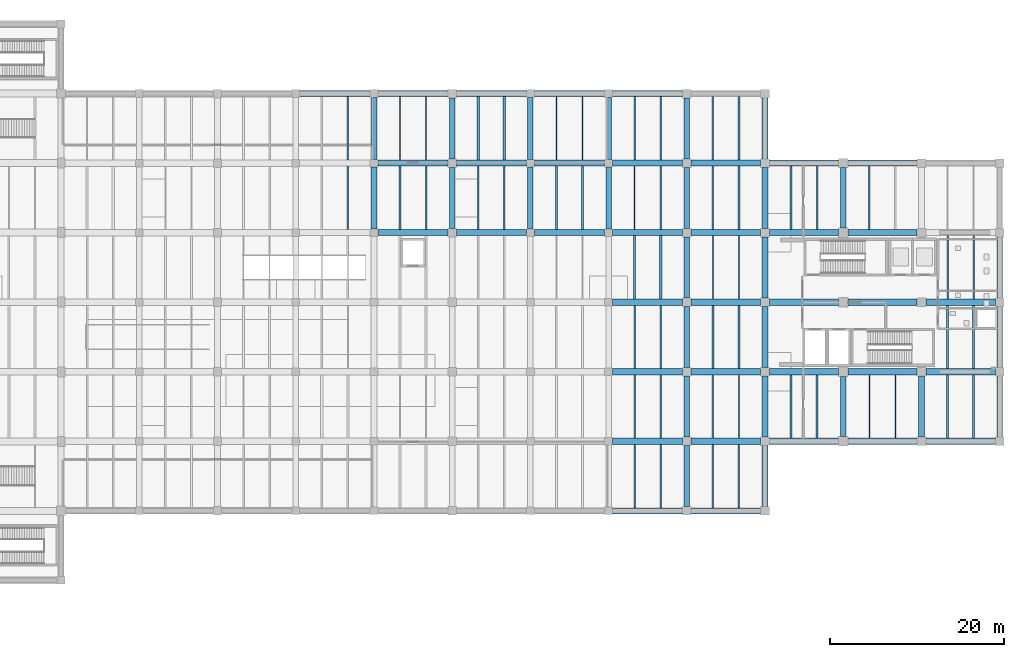
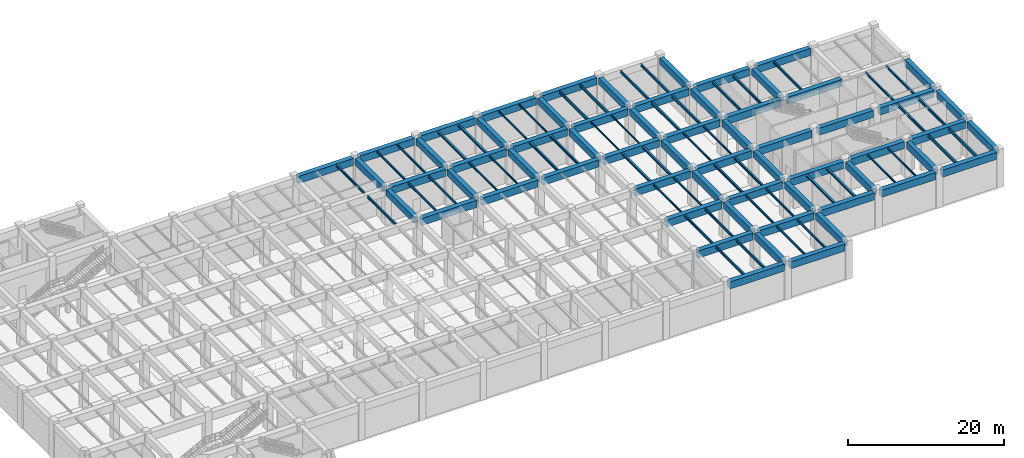
# One storey, part 5 of 20: 113 beams.
"""IFC4 building model written with IfcOpenShell, lengths in metres."""

from ifc_helpers import new_model, si_unit, derived_unit, direction, frame, origin, origin_2d, place, context, subcontext, project, spatial, rectangle, i_section, extrude, material, material_profile, profile_set, type_object, element, save


model = new_model("IFC4")

# Units and contexts
model_context = context("Model", 3, precision=1e-05, world=origin(), true_north=direction((0.0, 1.0)))
body_context = subcontext(model_context, "Body", "Model", "MODEL_VIEW")
ifc_project = project(units=[si_unit("LENGTHUNIT", "METRE"), si_unit("AREAUNIT", "SQUARE_METRE"), si_unit("VOLUMEUNIT", "CUBIC_METRE"), si_unit("PLANEANGLEUNIT", "RADIAN"), si_unit("MASSUNIT", "GRAM", prefix="KILO"), derived_unit("THERMALTRANSMITTANCEUNIT", [(si_unit("MASSUNIT", "GRAM", prefix="KILO"), 1), (si_unit("TIMEUNIT", "SECOND"), -3), (si_unit("THERMODYNAMICTEMPERATUREUNIT", "KELVIN"), -1)])], contexts=[model_context])

# Site, building, storey
site_placement = place(None, origin())
site = spatial("IfcSite", under=ifc_project, at=site_placement, CompositionType="ELEMENT")
building_placement = place(site_placement, origin())
building = spatial("IfcBuilding", under=site, at=building_placement, Name="Zhenchuan Archway Interchange", CompositionType="ELEMENT")
storey_placement = place(building_placement, frame((0.0, 0.0, -6.0)))
storey = spatial("IfcBuildingStorey", under=building, at=storey_placement, Name="B1", CompositionType="ELEMENT", Elevation=-6.0)

# Beams
ifc_material_1 = material(Name="Concrete C40", Category="concrete")
ifc_material_profile_1 = material_profile(ifc_material_1, rectangle(XDim=0.64990234375, YDim=1.0, at=origin_2d()), Name="RC 650x1000")
ifc_profile_set_1 = profile_set([ifc_material_profile_1], Name="Concrete C40")
beam_type_1 = type_object("IfcBeamType", Name="BM_RC_650x1000", PredefinedType="BEAM", material=ifc_profile_set_1)
for number, where, z_axis, x_axis, name in (
    (1, (99.0, 64.449951171875, 5.080078125), (0.0, 1.0, 0.0), (-1.0, 0.0, 0.0), "Beam 12:J-K (B1)"),
    (2, (99.0, 72.449951171875, 5.080078125), (0.0, 1.0, 0.0), (-1.0, 0.0, 0.0), "Beam 12:K-L (B1)"),
):
    element("IfcBeam", number, at=place(storey_placement, frame(where, z_axis=z_axis, x_axis=x_axis)), inside=storey, type_object=beam_type_1, Name=name, PredefinedType="BEAM", context=body_context, shape_type="SweptSolid", body=[
        extrude(rectangle(XDim=0.64990234375, YDim=1.0, at=origin_2d()), origin(), (0.0, 0.0, 1.0), 7.10009765625),
    ])
for number, where, z_axis, x_axis, name in (
    (3, (108.0, 64.47509765625, 5.080078125), (0.0, 1.0, 0.0), (-1.0, 0.0, 0.0), "Beam 13:J-K (B1)"),
    (4, (108.0, 72.47509765625, 5.080078125), (0.0, 1.0, 0.0), (-1.0, 0.0, 0.0), "Beam 13:K-L (B1)"),
):
    element("IfcBeam", number, at=place(storey_placement, frame(where, z_axis=z_axis, x_axis=x_axis)), inside=storey, type_object=beam_type_1, Name=name, PredefinedType="BEAM", context=body_context, shape_type="SweptSolid", body=[
        extrude(rectangle(XDim=0.64990234375, YDim=1.0, at=origin_2d()), origin(), (0.0, 0.0, 1.0), 7.0498046875),
    ])
for number, where, z_axis, x_axis, name in (
    (5, (117.0, 64.449951171875, 5.080078125), (0.0, 1.0, 0.0), (-1.0, 0.0, 0.0), "Beam 14:J-K (B1)"),
    (6, (117.0, 72.449951171875, 5.080078125), (0.0, 1.0, 0.0), (-1.0, 0.0, 0.0), "Beam 14:K-L (B1)"),
    (7, (126.0, 64.449951171875, 5.080078125), (0.0, 1.0, 0.0), (-1.0, 0.0, 0.0), "Beam 15:J-K (B1)"),
    (8, (126.0, 72.449951171875, 5.080078125), (0.0, 1.0, 0.0), (-1.0, 0.0, 0.0), "Beam 15:K-L (B1)"),
):
    element("IfcBeam", number, at=place(storey_placement, frame(where, z_axis=z_axis, x_axis=x_axis)), inside=storey, type_object=beam_type_1, Name=name, PredefinedType="BEAM", context=body_context, shape_type="SweptSolid", body=[
        extrude(rectangle(XDim=0.64990234375, YDim=1.0, at=origin_2d()), origin(), (0.0, 0.0, 1.0), 7.10009765625),
    ])
for number, where, z_axis, x_axis, name in (
    (9, (135.0, 64.47509765625, 5.080078125), (0.0, 1.0, 0.0), (-1.0, 0.0, 0.0), "Beam 16:J-K (B1)"),
    (10, (135.0, 72.47509765625, 5.080078125), (0.0, 1.0, 0.0), (-1.0, 0.0, 0.0), "Beam 16:K-L (B1)"),
):
    element("IfcBeam", number, at=place(storey_placement, frame(where, z_axis=z_axis, x_axis=x_axis)), inside=storey, type_object=beam_type_1, Name=name, PredefinedType="BEAM", context=body_context, shape_type="SweptSolid", body=[
        extrude(rectangle(XDim=0.64990234375, YDim=1.0, at=origin_2d()), origin(), (0.0, 0.0, 1.0), 7.0498046875),
    ])
for number, where, z_axis, x_axis, name in (
    (11, (144.0, 64.5, 5.080078125), (0.0, 1.0, 0.0), (-1.0, 0.0, 0.0), "Beam 17:J-K (B1)"),
    (12, (144.0, 72.5, 5.080078125), (0.0, 1.0, 0.0), (-1.0, 0.0, 0.0), "Beam 17:K-L (B1)"),
):
    element("IfcBeam", number, at=place(storey_placement, frame(where, z_axis=z_axis, x_axis=x_axis)), inside=storey, type_object=beam_type_1, Name=name, PredefinedType="BEAM", context=body_context, shape_type="SweptSolid", body=[
        extrude(rectangle(XDim=0.64990234375, YDim=1.0, at=origin_2d()), origin(), (0.0, 0.0, 1.0), 7.0),
    ])
beam_1_placement = place(storey_placement, frame((153.0, 64.52490234375, 5.080078125), z_axis=(0.0, 1.0, 0.0), x_axis=(-1.0, 0.0, 0.0)))
element("IfcBeam", 13, at=beam_1_placement, inside=storey, type_object=beam_type_1, Name="Beam 18:J-K (B1)", PredefinedType="BEAM", context=body_context, shape_type="SweptSolid", body=[
    extrude(rectangle(XDim=0.64990234375, YDim=1.0, at=origin_2d()), origin(), (0.0, 0.0, 1.0), 6.9501953125),
])
ifc_material_profile_2 = material_profile(ifc_material_1, rectangle(XDim=0.64990234375, YDim=1.050048828125, at=origin_2d()), Name="RC 650x1050")
ifc_profile_set_2 = profile_set([ifc_material_profile_2], Name="Concrete C40")
beam_type_2 = type_object("IfcBeamType", Name="BM_RC_650x1050", PredefinedType="BEAM", material=ifc_profile_set_2)
for number, where, z_axis, x_axis, name in (
    (14, (135.0, 32.47509765625, 5.054931640625), (0.0, 1.0, 0.0), (-1.0, 0.0, 0.0), "Beam 16:E-F (B1)"),
    (15, (135.0, 40.47509765625, 5.054931640625), (0.0, 1.0, 0.0), (-1.0, 0.0, 0.0), "Beam 16:F-G (B1)"),
    (16, (135.0, 48.47509765625, 5.054931640625), (0.0, 1.0, 0.0), (-1.0, 0.0, 0.0), "Beam 16:G-H (B1)"),
    (17, (135.0, 56.47509765625, 5.054931640625), (0.0, 1.0, 0.0), (-1.0, 0.0, 0.0), "Beam 16:H-J (B1)"),
):
    element("IfcBeam", number, at=place(storey_placement, frame(where, z_axis=z_axis, x_axis=x_axis)), inside=storey, type_object=beam_type_2, Name=name, PredefinedType="BEAM", context=body_context, shape_type="SweptSolid", body=[
        extrude(rectangle(XDim=0.64990234375, YDim=1.050048828125, at=origin_2d()), origin(), (0.0, 0.0, 1.0), 7.0498046875),
    ])
for number, where, z_axis, x_axis, name in (
    (18, (144.0, 32.5, 5.054931640625), (0.0, 1.0, 0.0), (-1.0, 0.0, 0.0), "Beam 17:E-F (B1)"),
    (19, (144.0, 40.5, 5.054931640625), (0.0, 1.0, 0.0), (-1.0, 0.0, 0.0), "Beam 17:F-G (B1)"),
    (20, (144.0, 48.5, 5.054931640625), (0.0, 1.0, 0.0), (-1.0, 0.0, 0.0), "Beam 17:G-H (B1)"),
    (21, (144.0, 56.5, 5.054931640625), (0.0, 1.0, 0.0), (-1.0, 0.0, 0.0), "Beam 17:H-J (B1)"),
):
    element("IfcBeam", number, at=place(storey_placement, frame(where, z_axis=z_axis, x_axis=x_axis)), inside=storey, type_object=beam_type_2, Name=name, PredefinedType="BEAM", context=body_context, shape_type="SweptSolid", body=[
        extrude(rectangle(XDim=0.64990234375, YDim=1.050048828125, at=origin_2d()), origin(), (0.0, 0.0, 1.0), 7.0),
    ])
beam_2_placement = place(storey_placement, frame((153.0, 40.52490234375, 5.054931640625), z_axis=(0.0, 1.0, 0.0), x_axis=(-1.0, 0.0, 0.0)))
element("IfcBeam", 22, at=beam_2_placement, inside=storey, type_object=beam_type_2, Name="Beam 18:F-G (B1)", PredefinedType="BEAM", context=body_context, shape_type="SweptSolid", body=[
    extrude(rectangle(XDim=0.64990234375, YDim=1.050048828125, at=origin_2d()), origin(), (0.0, 0.0, 1.0), 6.9501953125),
])
for number, where, z_axis, x_axis, name in (
    (23, (162.0, 40.5, 5.054931640625), (0.0, 1.0, 0.0), (-1.0, 0.0, 0.0), "Beam 19:F-G (B1)"),
    (24, (171.0, 40.5, 5.054931640625), (0.0, 1.0, 0.0), (-1.0, 0.0, 0.0), "Beam 20:F-G (B1)"),
    (25, (171.0, 48.5, 5.054931640625), (0.0, 1.0, 0.0), (-1.0, 0.0, 0.0), "Beam 20:G-H (B1)"),
    (26, (171.0, 56.5, 5.054931640625), (0.0, 1.0, 0.0), (-1.0, 0.0, 0.0), "Beam 20:H-J (B1)"),
):
    element("IfcBeam", number, at=place(storey_placement, frame(where, z_axis=z_axis, x_axis=x_axis)), inside=storey, type_object=beam_type_2, Name=name, PredefinedType="BEAM", context=body_context, shape_type="SweptSolid", body=[
        extrude(rectangle(XDim=0.64990234375, YDim=1.050048828125, at=origin_2d()), origin(), (0.0, 0.0, 1.0), 7.0),
    ])
ifc_material_profile_3 = material_profile(ifc_material_1, rectangle(XDim=0.699951171875, YDim=1.10009765625, at=origin_2d()), Name="RC 700x1100")
ifc_profile_set_3 = profile_set([ifc_material_profile_3], Name="Concrete C40")
beam_type_3 = type_object("IfcBeamType", Name="BM_RC_700x1100", PredefinedType="BEAM", material=ifc_profile_set_3)
beam_3_placement = place(storey_placement, frame((126.449951171875, 32.0, 5.030029296875), z_axis=(1.0, 0.0, 0.0), x_axis=(0.0, 1.0, 0.0)))
element("IfcBeam", 27, at=beam_3_placement, inside=storey, type_object=beam_type_3, Name="Beam E:15-16 (B1)", PredefinedType="BEAM", context=body_context, shape_type="SweptSolid", body=[
    extrude(rectangle(XDim=0.699951171875, YDim=1.10009765625, at=origin_2d()), origin(), (0.0, 0.0, 1.0), 8.074951171875),
])
beam_4_placement = place(storey_placement, frame((135.47509765625, 32.0, 5.030029296875), z_axis=(1.0, 0.0, 0.0), x_axis=(0.0, 1.0, 0.0)))
element("IfcBeam", 28, at=beam_4_placement, inside=storey, type_object=beam_type_3, Name="Beam E:16-17 (B1)", PredefinedType="BEAM", context=body_context, shape_type="SweptSolid", body=[
    extrude(rectangle(XDim=0.699951171875, YDim=1.10009765625, at=origin_2d()), origin(), (0.0, 0.0, 1.0), 8.02490234375),
])
beam_5_placement = place(storey_placement, frame((126.449951171875, 40.0, 5.030029296875), z_axis=(1.0, 0.0, 0.0), x_axis=(0.0, 1.0, 0.0)))
element("IfcBeam", 29, at=beam_5_placement, inside=storey, type_object=beam_type_3, Name="Beam F:15-16 (B1)", PredefinedType="BEAM", context=body_context, shape_type="SweptSolid", body=[
    extrude(rectangle(XDim=0.699951171875, YDim=1.10009765625, at=origin_2d()), origin(), (0.0, 0.0, 1.0), 8.074951171875),
])
beam_6_placement = place(storey_placement, frame((135.47509765625, 40.0, 5.030029296875), z_axis=(1.0, 0.0, 0.0), x_axis=(0.0, 1.0, 0.0)))
element("IfcBeam", 30, at=beam_6_placement, inside=storey, type_object=beam_type_3, Name="Beam F:16-17 (B1)", PredefinedType="BEAM", context=body_context, shape_type="SweptSolid", body=[
    extrude(rectangle(XDim=0.699951171875, YDim=1.10009765625, at=origin_2d()), origin(), (0.0, 0.0, 1.0), 8.02490234375),
])
for number, where, z_axis, x_axis, name in (
    (31, (144.5, 40.0, 5.030029296875), (1.0, 0.0, 0.0), (0.0, 1.0, 0.0), "Beam F:17-18 (B1)"),
    (32, (153.52490234375, 40.0, 5.030029296875), (1.0, 0.0, 0.0), (0.0, 1.0, 0.0), "Beam F:18-19 (B1)"),
):
    element("IfcBeam", number, at=place(storey_placement, frame(where, z_axis=z_axis, x_axis=x_axis)), inside=storey, type_object=beam_type_3, Name=name, PredefinedType="BEAM", context=body_context, shape_type="SweptSolid", body=[
        extrude(rectangle(XDim=0.699951171875, YDim=1.10009765625, at=origin_2d()), origin(), (0.0, 0.0, 1.0), 7.97509765625),
    ])
beam_7_placement = place(storey_placement, frame((162.5, 40.0, 5.030029296875), z_axis=(1.0, 0.0, 0.0), x_axis=(0.0, 1.0, 0.0)))
element("IfcBeam", 33, at=beam_7_placement, inside=storey, type_object=beam_type_3, Name="Beam F:19-20 (B1)", PredefinedType="BEAM", context=body_context, shape_type="SweptSolid", body=[
    extrude(rectangle(XDim=0.699951171875, YDim=1.10009765625, at=origin_2d()), origin(), (0.0, 0.0, 1.0), 8.0),
])
beam_8_placement = place(storey_placement, frame((126.449951171875, 48.0, 5.030029296875), z_axis=(1.0, 0.0, 0.0), x_axis=(0.0, 1.0, 0.0)))
element("IfcBeam", 34, at=beam_8_placement, inside=storey, type_object=beam_type_3, Name="Beam G:15-16 (B1)", PredefinedType="BEAM", context=body_context, shape_type="SweptSolid", body=[
    extrude(rectangle(XDim=0.699951171875, YDim=1.10009765625, at=origin_2d()), origin(), (0.0, 0.0, 1.0), 8.074951171875),
])
beam_9_placement = place(storey_placement, frame((135.47509765625, 48.0, 5.030029296875), z_axis=(1.0, 0.0, 0.0), x_axis=(0.0, 1.0, 0.0)))
element("IfcBeam", 35, at=beam_9_placement, inside=storey, type_object=beam_type_3, Name="Beam G:16-17 (B1)", PredefinedType="BEAM", context=body_context, shape_type="SweptSolid", body=[
    extrude(rectangle(XDim=0.699951171875, YDim=1.10009765625, at=origin_2d()), origin(), (0.0, 0.0, 1.0), 8.02490234375),
])
for number, where, z_axis, x_axis, name in (
    (36, (144.5, 48.0, 5.030029296875), (1.0, 0.0, 0.0), (0.0, 1.0, 0.0), "Beam G:17-18 (B1)"),
    (37, (153.52490234375, 48.0, 5.030029296875), (1.0, 0.0, 0.0), (0.0, 1.0, 0.0), "Beam G:18-19 (B1)"),
):
    element("IfcBeam", number, at=place(storey_placement, frame(where, z_axis=z_axis, x_axis=x_axis)), inside=storey, type_object=beam_type_3, Name=name, PredefinedType="BEAM", context=body_context, shape_type="SweptSolid", body=[
        extrude(rectangle(XDim=0.699951171875, YDim=1.10009765625, at=origin_2d()), origin(), (0.0, 0.0, 1.0), 7.97509765625),
    ])
beam_10_placement = place(storey_placement, frame((162.5, 48.0, 5.030029296875), z_axis=(1.0, 0.0, 0.0), x_axis=(0.0, 1.0, 0.0)))
element("IfcBeam", 38, at=beam_10_placement, inside=storey, type_object=beam_type_3, Name="Beam G:19-20 (B1)", PredefinedType="BEAM", context=body_context, shape_type="SweptSolid", body=[
    extrude(rectangle(XDim=0.699951171875, YDim=1.10009765625, at=origin_2d()), origin(), (0.0, 0.0, 1.0), 8.0),
])
beam_11_placement = place(storey_placement, frame((126.449951171875, 56.0, 5.030029296875), z_axis=(1.0, 0.0, 0.0), x_axis=(0.0, 1.0, 0.0)))
element("IfcBeam", 39, at=beam_11_placement, inside=storey, type_object=beam_type_3, Name="Beam H:15-16 (B1)", PredefinedType="BEAM", context=body_context, shape_type="SweptSolid", body=[
    extrude(rectangle(XDim=0.699951171875, YDim=1.10009765625, at=origin_2d()), origin(), (0.0, 0.0, 1.0), 8.074951171875),
])
beam_12_placement = place(storey_placement, frame((135.47509765625, 56.0, 5.030029296875), z_axis=(1.0, 0.0, 0.0), x_axis=(0.0, 1.0, 0.0)))
element("IfcBeam", 40, at=beam_12_placement, inside=storey, type_object=beam_type_3, Name="Beam H:16-17 (B1)", PredefinedType="BEAM", context=body_context, shape_type="SweptSolid", body=[
    extrude(rectangle(XDim=0.699951171875, YDim=1.10009765625, at=origin_2d()), origin(), (0.0, 0.0, 1.0), 8.02490234375),
])
for number, where, z_axis, x_axis, name in (
    (41, (144.5, 56.0, 5.030029296875), (1.0, 0.0, 0.0), (0.0, 1.0, 0.0), "Beam H:17-18 (B1)"),
    (42, (153.52490234375, 56.0, 5.030029296875), (1.0, 0.0, 0.0), (0.0, 1.0, 0.0), "Beam H:18-19 (B1)"),
):
    element("IfcBeam", number, at=place(storey_placement, frame(where, z_axis=z_axis, x_axis=x_axis)), inside=storey, type_object=beam_type_3, Name=name, PredefinedType="BEAM", context=body_context, shape_type="SweptSolid", body=[
        extrude(rectangle(XDim=0.699951171875, YDim=1.10009765625, at=origin_2d()), origin(), (0.0, 0.0, 1.0), 7.97509765625),
    ])
beam_13_placement = place(storey_placement, frame((162.5, 56.0, 5.030029296875), z_axis=(1.0, 0.0, 0.0), x_axis=(0.0, 1.0, 0.0)))
element("IfcBeam", 43, at=beam_13_placement, inside=storey, type_object=beam_type_3, Name="Beam H:19-20 (B1)", PredefinedType="BEAM", context=body_context, shape_type="SweptSolid", body=[
    extrude(rectangle(XDim=0.699951171875, YDim=1.10009765625, at=origin_2d()), origin(), (0.0, 0.0, 1.0), 8.0),
])
for number, where, z_axis, x_axis, name in (
    (44, (99.449951171875, 64.0, 5.030029296875), (1.0, 0.0, 0.0), (0.0, 1.0, 0.0), "Beam J:12-13 (B1)"),
    (45, (108.47509765625, 64.0, 5.030029296875), (1.0, 0.0, 0.0), (0.0, 1.0, 0.0), "Beam J:13-14 (B1)"),
):
    element("IfcBeam", number, at=place(storey_placement, frame(where, z_axis=z_axis, x_axis=x_axis)), inside=storey, type_object=beam_type_3, Name=name, PredefinedType="BEAM", context=body_context, shape_type="SweptSolid", body=[
        extrude(rectangle(XDim=0.699951171875, YDim=1.10009765625, at=origin_2d()), origin(), (0.0, 0.0, 1.0), 8.074951171875),
    ])
beam_14_placement = place(storey_placement, frame((117.449951171875, 64.0, 5.030029296875), z_axis=(1.0, 0.0, 0.0), x_axis=(0.0, 1.0, 0.0)))
element("IfcBeam", 46, at=beam_14_placement, inside=storey, type_object=beam_type_3, Name="Beam J:14-15 (B1)", PredefinedType="BEAM", context=body_context, shape_type="SweptSolid", body=[
    extrude(rectangle(XDim=0.699951171875, YDim=1.10009765625, at=origin_2d()), origin(), (0.0, 0.0, 1.0), 8.10009765625),
])
beam_15_placement = place(storey_placement, frame((126.449951171875, 64.0, 5.030029296875), z_axis=(1.0, 0.0, 0.0), x_axis=(0.0, 1.0, 0.0)))
element("IfcBeam", 47, at=beam_15_placement, inside=storey, type_object=beam_type_3, Name="Beam J:15-16 (B1)", PredefinedType="BEAM", context=body_context, shape_type="SweptSolid", body=[
    extrude(rectangle(XDim=0.699951171875, YDim=1.10009765625, at=origin_2d()), origin(), (0.0, 0.0, 1.0), 8.074951171875),
])
beam_16_placement = place(storey_placement, frame((135.47509765625, 64.0, 5.030029296875), z_axis=(1.0, 0.0, 0.0), x_axis=(0.0, 1.0, 0.0)))
element("IfcBeam", 48, at=beam_16_placement, inside=storey, type_object=beam_type_3, Name="Beam J:16-17 (B1)", PredefinedType="BEAM", context=body_context, shape_type="SweptSolid", body=[
    extrude(rectangle(XDim=0.699951171875, YDim=1.10009765625, at=origin_2d()), origin(), (0.0, 0.0, 1.0), 8.02490234375),
])
for number, where, z_axis, x_axis, name in (
    (49, (144.5, 64.0, 5.030029296875), (1.0, 0.0, 0.0), (0.0, 1.0, 0.0), "Beam J:17-18 (B1)"),
    (50, (153.52490234375, 64.0, 5.030029296875), (1.0, 0.0, 0.0), (0.0, 1.0, 0.0), "Beam J:18-19 (B1)"),
):
    element("IfcBeam", number, at=place(storey_placement, frame(where, z_axis=z_axis, x_axis=x_axis)), inside=storey, type_object=beam_type_3, Name=name, PredefinedType="BEAM", context=body_context, shape_type="SweptSolid", body=[
        extrude(rectangle(XDim=0.699951171875, YDim=1.10009765625, at=origin_2d()), origin(), (0.0, 0.0, 1.0), 7.97509765625),
    ])
for number, where, z_axis, x_axis, name in (
    (51, (99.449951171875, 72.0, 5.030029296875), (1.0, 0.0, 0.0), (0.0, 1.0, 0.0), "Beam K:12-13 (B1)"),
    (52, (108.47509765625, 72.0, 5.030029296875), (1.0, 0.0, 0.0), (0.0, 1.0, 0.0), "Beam K:13-14 (B1)"),
):
    element("IfcBeam", number, at=place(storey_placement, frame(where, z_axis=z_axis, x_axis=x_axis)), inside=storey, type_object=beam_type_3, Name=name, PredefinedType="BEAM", context=body_context, shape_type="SweptSolid", body=[
        extrude(rectangle(XDim=0.699951171875, YDim=1.10009765625, at=origin_2d()), origin(), (0.0, 0.0, 1.0), 8.074951171875),
    ])
beam_17_placement = place(storey_placement, frame((117.449951171875, 72.0, 5.030029296875), z_axis=(1.0, 0.0, 0.0), x_axis=(0.0, 1.0, 0.0)))
element("IfcBeam", 53, at=beam_17_placement, inside=storey, type_object=beam_type_3, Name="Beam K:14-15 (B1)", PredefinedType="BEAM", context=body_context, shape_type="SweptSolid", body=[
    extrude(rectangle(XDim=0.699951171875, YDim=1.10009765625, at=origin_2d()), origin(), (0.0, 0.0, 1.0), 8.10009765625),
])
beam_18_placement = place(storey_placement, frame((126.449951171875, 72.0, 5.030029296875), z_axis=(1.0, 0.0, 0.0), x_axis=(0.0, 1.0, 0.0)))
element("IfcBeam", 54, at=beam_18_placement, inside=storey, type_object=beam_type_3, Name="Beam K:15-16 (B1)", PredefinedType="BEAM", context=body_context, shape_type="SweptSolid", body=[
    extrude(rectangle(XDim=0.699951171875, YDim=1.10009765625, at=origin_2d()), origin(), (0.0, 0.0, 1.0), 8.074951171875),
])
beam_19_placement = place(storey_placement, frame((135.47509765625, 72.0, 5.030029296875), z_axis=(1.0, 0.0, 0.0), x_axis=(0.0, 1.0, 0.0)))
element("IfcBeam", 55, at=beam_19_placement, inside=storey, type_object=beam_type_3, Name="Beam K:16-17 (B1)", PredefinedType="BEAM", context=body_context, shape_type="SweptSolid", body=[
    extrude(rectangle(XDim=0.699951171875, YDim=1.10009765625, at=origin_2d()), origin(), (0.0, 0.0, 1.0), 8.02490234375),
])
for number, where, z_axis, x_axis, name in (
    (56, (144.5, 72.0, 5.030029296875), (1.0, 0.0, 0.0), (0.0, 1.0, 0.0), "Beam K:17-18 (B1)"),
    (57, (153.52490234375, 72.0, 5.030029296875), (1.0, 0.0, 0.0), (0.0, 1.0, 0.0), "Beam K:18-19 (B1)"),
):
    element("IfcBeam", number, at=place(storey_placement, frame(where, z_axis=z_axis, x_axis=x_axis)), inside=storey, type_object=beam_type_3, Name=name, PredefinedType="BEAM", context=body_context, shape_type="SweptSolid", body=[
        extrude(rectangle(XDim=0.699951171875, YDim=1.10009765625, at=origin_2d()), origin(), (0.0, 0.0, 1.0), 7.97509765625),
    ])
beam_20_placement = place(storey_placement, frame((90.449951171875, 80.0, 5.030029296875), z_axis=(1.0, 0.0, 0.0), x_axis=(0.0, 1.0, 0.0)))
element("IfcBeam", 58, at=beam_20_placement, inside=storey, type_object=beam_type_3, Name="Beam L:11-12 (B1)", PredefinedType="BEAM", context=body_context, shape_type="SweptSolid", body=[
    extrude(rectangle(XDim=0.699951171875, YDim=1.10009765625, at=origin_2d()), origin(), (0.0, 0.0, 1.0), 8.10009765625),
])
for number, where, z_axis, x_axis, name in (
    (59, (99.449951171875, 80.0, 5.030029296875), (1.0, 0.0, 0.0), (0.0, 1.0, 0.0), "Beam L:12-13 (B1)"),
    (60, (108.47509765625, 80.0, 5.030029296875), (1.0, 0.0, 0.0), (0.0, 1.0, 0.0), "Beam L:13-14 (B1)"),
):
    element("IfcBeam", number, at=place(storey_placement, frame(where, z_axis=z_axis, x_axis=x_axis)), inside=storey, type_object=beam_type_3, Name=name, PredefinedType="BEAM", context=body_context, shape_type="SweptSolid", body=[
        extrude(rectangle(XDim=0.699951171875, YDim=1.10009765625, at=origin_2d()), origin(), (0.0, 0.0, 1.0), 8.074951171875),
    ])
beam_21_placement = place(storey_placement, frame((117.449951171875, 80.0, 5.030029296875), z_axis=(1.0, 0.0, 0.0), x_axis=(0.0, 1.0, 0.0)))
element("IfcBeam", 61, at=beam_21_placement, inside=storey, type_object=beam_type_3, Name="Beam L:14-15 (B1)", PredefinedType="BEAM", context=body_context, shape_type="SweptSolid", body=[
    extrude(rectangle(XDim=0.699951171875, YDim=1.10009765625, at=origin_2d()), origin(), (0.0, 0.0, 1.0), 8.10009765625),
])
beam_22_placement = place(storey_placement, frame((126.449951171875, 80.0, 5.030029296875), z_axis=(1.0, 0.0, 0.0), x_axis=(0.0, 1.0, 0.0)))
element("IfcBeam", 62, at=beam_22_placement, inside=storey, type_object=beam_type_3, Name="Beam L:15-16 (B1)", PredefinedType="BEAM", context=body_context, shape_type="SweptSolid", body=[
    extrude(rectangle(XDim=0.699951171875, YDim=1.10009765625, at=origin_2d()), origin(), (0.0, 0.0, 1.0), 8.074951171875),
])
ifc_material_2 = material(Name="Steel Q355", Category="steel")
ifc_material_profile_4 = material_profile(ifc_material_2, i_section(OverallWidth=0.25, OverallDepth=0.340087890625, WebThickness=0.009033203125, FlangeThickness=0.013916015625, FilletRadius=0.01806640625, at=origin_2d()), Name="HM 340x250")
ifc_profile_set_4 = profile_set([ifc_material_profile_4], Name="Steel Q355")
beam_type_4 = type_object("IfcBeamType", Name="JST_STL_HM340", PredefinedType="JOIST", material=ifc_profile_set_4)
for number, where, z_axis, x_axis, name in (
    (63, (111.0, 72.35009765625, 5.409912109375), (0.0, 1.0, 0.0), (-1.0, 0.0, 0.0), "Secondary joist 13-14/K-L #1 (B1)"),
    (64, (114.0, 72.35009765625, 5.409912109375), (0.0, 1.0, 0.0), (-1.0, 0.0, 0.0), "Secondary joist 13-14/K-L #2 (B1)"),
    (65, (120.0, 64.35009765625, 5.409912109375), (0.0, 1.0, 0.0), (-1.0, 0.0, 0.0), "Secondary joist 14-15/J-K #1 (B1)"),
    (66, (123.0, 64.35009765625, 5.409912109375), (0.0, 1.0, 0.0), (-1.0, 0.0, 0.0), "Secondary joist 14-15/J-K #2 (B1)"),
    (67, (129.0, 56.35009765625, 5.409912109375), (0.0, 1.0, 0.0), (-1.0, 0.0, 0.0), "Secondary joist 15-16/H-J #1 (B1)"),
    (68, (132.0, 56.35009765625, 5.409912109375), (0.0, 1.0, 0.0), (-1.0, 0.0, 0.0), "Secondary joist 15-16/H-J #2 (B1)"),
    (69, (138.0, 48.35009765625, 5.409912109375), (0.0, 1.0, 0.0), (-1.0, 0.0, 0.0), "Secondary joist 16-17/G-H #1 (B1)"),
    (70, (141.0, 48.35009765625, 5.409912109375), (0.0, 1.0, 0.0), (-1.0, 0.0, 0.0), "Secondary joist 16-17/G-H #2 (B1)"),
    (71, (147.0, 40.35009765625, 5.409912109375), (0.0, 1.0, 0.0), (-1.0, 0.0, 0.0), "Secondary joist 17-18/F-G #1 (B1)"),
    (72, (150.0, 40.35009765625, 5.409912109375), (0.0, 1.0, 0.0), (-1.0, 0.0, 0.0), "Secondary joist 17-18/F-G #2 (B1)"),
):
    element("IfcBeam", number, at=place(storey_placement, frame(where, z_axis=z_axis, x_axis=x_axis)), inside=storey, type_object=beam_type_4, Name=name, PredefinedType="JOIST", context=body_context, shape_type="SweptSolid", body=[
        extrude(i_section(OverallWidth=0.25, OverallDepth=0.340087890625, WebThickness=0.009033203125, FlangeThickness=0.013916015625, FilletRadius=0.01806640625, at=origin_2d()), origin(), (0.0, 0.0, 1.0), 7.2998046875),
    ])
ifc_material_profile_5 = material_profile(ifc_material_2, i_section(OverallWidth=0.125, OverallDepth=0.25, WebThickness=0.006103515625, FlangeThickness=0.009033203125, FilletRadius=0.011962890625, at=origin_2d()), Name="HN 250x125")
ifc_profile_set_5 = profile_set([ifc_material_profile_5], Name="Steel Q355")
beam_type_5 = type_object("IfcBeamType", Name="JST_STL_HN250", PredefinedType="JOIST", material=ifc_profile_set_5)
for number, where, z_axis, x_axis, name in (
    (73, (120.0, 72.35009765625, 5.455078125), (0.0, 1.0, 0.0), (-1.0, 0.0, 0.0), "Secondary joist 14-15/K-L #1 (B1)"),
    (74, (123.0, 72.35009765625, 5.455078125), (0.0, 1.0, 0.0), (-1.0, 0.0, 0.0), "Secondary joist 14-15/K-L #2 (B1)"),
    (75, (129.0, 64.35009765625, 5.455078125), (0.0, 1.0, 0.0), (-1.0, 0.0, 0.0), "Secondary joist 15-16/J-K #1 (B1)"),
    (76, (132.0, 64.35009765625, 5.455078125), (0.0, 1.0, 0.0), (-1.0, 0.0, 0.0), "Secondary joist 15-16/J-K #2 (B1)"),
    (77, (138.0, 56.35009765625, 5.455078125), (0.0, 1.0, 0.0), (-1.0, 0.0, 0.0), "Secondary joist 16-17/H-J #1 (B1)"),
    (78, (141.0, 56.35009765625, 5.455078125), (0.0, 1.0, 0.0), (-1.0, 0.0, 0.0), "Secondary joist 16-17/H-J #2 (B1)"),
    (79, (156.0, 40.35009765625, 5.455078125), (0.0, 1.0, 0.0), (-1.0, 0.0, 0.0), "Secondary joist 18-19/F-G #1 (B1)"),
    (80, (159.0, 40.35009765625, 5.455078125), (0.0, 1.0, 0.0), (-1.0, 0.0, 0.0), "Secondary joist 18-19/F-G #2 (B1)"),
):
    element("IfcBeam", number, at=place(storey_placement, frame(where, z_axis=z_axis, x_axis=x_axis)), inside=storey, type_object=beam_type_5, Name=name, PredefinedType="JOIST", context=body_context, shape_type="SweptSolid", body=[
        extrude(i_section(OverallWidth=0.125, OverallDepth=0.25, WebThickness=0.006103515625, FlangeThickness=0.009033203125, FilletRadius=0.011962890625, at=origin_2d()), origin(), (0.0, 0.0, 1.0), 7.2998046875),
    ])
ifc_material_profile_6 = material_profile(ifc_material_2, i_section(OverallWidth=0.14990234375, OverallDepth=0.300048828125, WebThickness=0.006591796875, FlangeThickness=0.009033203125, FilletRadius=0.012939453125, at=origin_2d()), Name="HN 300x150")
ifc_profile_set_6 = profile_set([ifc_material_profile_6], Name="Steel Q355")
beam_type_6 = type_object("IfcBeamType", Name="JST_STL_HN300", PredefinedType="JOIST", material=ifc_profile_set_6)
for number, where, z_axis, x_axis, name in (
    (81, (102.0, 72.35009765625, 5.429931640625), (0.0, 1.0, 0.0), (-1.0, 0.0, 0.0), "Secondary joist 12-13/K-L #1 (B1)"),
    (82, (105.0, 72.35009765625, 5.429931640625), (0.0, 1.0, 0.0), (-1.0, 0.0, 0.0), "Secondary joist 12-13/K-L #2 (B1)"),
    (83, (111.0, 64.35009765625, 5.429931640625), (0.0, 1.0, 0.0), (-1.0, 0.0, 0.0), "Secondary joist 13-14/J-K #1 (B1)"),
    (84, (114.0, 64.35009765625, 5.429931640625), (0.0, 1.0, 0.0), (-1.0, 0.0, 0.0), "Secondary joist 13-14/J-K #2 (B1)"),
    (85, (129.0, 48.35009765625, 5.429931640625), (0.0, 1.0, 0.0), (-1.0, 0.0, 0.0), "Secondary joist 15-16/G-H #1 (B1)"),
    (86, (132.0, 48.35009765625, 5.429931640625), (0.0, 1.0, 0.0), (-1.0, 0.0, 0.0), "Secondary joist 15-16/G-H #2 (B1)"),
    (87, (138.0, 40.35009765625, 5.429931640625), (0.0, 1.0, 0.0), (-1.0, 0.0, 0.0), "Secondary joist 16-17/F-G #1 (B1)"),
    (88, (141.0, 40.35009765625, 5.429931640625), (0.0, 1.0, 0.0), (-1.0, 0.0, 0.0), "Secondary joist 16-17/F-G #2 (B1)"),
):
    element("IfcBeam", number, at=place(storey_placement, frame(where, z_axis=z_axis, x_axis=x_axis)), inside=storey, type_object=beam_type_6, Name=name, PredefinedType="JOIST", context=body_context, shape_type="SweptSolid", body=[
        extrude(i_section(OverallWidth=0.14990234375, OverallDepth=0.300048828125, WebThickness=0.006591796875, FlangeThickness=0.009033203125, FilletRadius=0.012939453125, at=origin_2d()), origin(), (0.0, 0.0, 1.0), 7.2998046875),
    ])
ifc_material_profile_7 = material_profile(ifc_material_2, i_section(OverallWidth=0.175048828125, OverallDepth=0.35009765625, WebThickness=0.007080078125, FlangeThickness=0.010986328125, FilletRadius=0.013916015625, at=origin_2d()), Name="HN 350x175")
ifc_profile_set_7 = profile_set([ifc_material_profile_7], Name="Steel Q355")
beam_type_7 = type_object("IfcBeamType", Name="JST_STL_HN350", PredefinedType="JOIST", material=ifc_profile_set_7)
for number, where, z_axis, x_axis, name in (
    (89, (96.0, 72.35009765625, 5.405029296875), (0.0, 1.0, 0.0), (-1.0, 0.0, 0.0), "Secondary joist 11-12/K-L #2 (B1)"),
    (90, (102.0, 64.35009765625, 5.405029296875), (0.0, 1.0, 0.0), (-1.0, 0.0, 0.0), "Secondary joist 12-13/J-K #1 (B1)"),
    (91, (105.0, 64.35009765625, 5.405029296875), (0.0, 1.0, 0.0), (-1.0, 0.0, 0.0), "Secondary joist 12-13/J-K #2 (B1)"),
    (92, (129.0, 40.35009765625, 5.405029296875), (0.0, 1.0, 0.0), (-1.0, 0.0, 0.0), "Secondary joist 15-16/F-G #1 (B1)"),
    (93, (132.0, 40.35009765625, 5.405029296875), (0.0, 1.0, 0.0), (-1.0, 0.0, 0.0), "Secondary joist 15-16/F-G #2 (B1)"),
    (94, (138.0, 32.35009765625, 5.405029296875), (0.0, 1.0, 0.0), (-1.0, 0.0, 0.0), "Secondary joist 16-17/E-F #1 (B1)"),
    (95, (141.0, 32.35009765625, 5.405029296875), (0.0, 1.0, 0.0), (-1.0, 0.0, 0.0), "Secondary joist 16-17/E-F #2 (B1)"),
    (96, (156.0, 64.35009765625, 5.405029296875), (0.0, 1.0, 0.0), (-1.0, 0.0, 0.0), "Secondary joist 18-19/J-K #1 (B1)"),
    (97, (165.0, 56.35009765625, 5.405029296875), (0.0, 1.0, 0.0), (-1.0, 0.0, 0.0), "Secondary joist 19-20/H-J #1 (B1)"),
    (98, (168.0, 56.35009765625, 5.405029296875), (0.0, 1.0, 0.0), (-1.0, 0.0, 0.0), "Secondary joist 19-20/H-J #2 (B1)"),
):
    element("IfcBeam", number, at=place(storey_placement, frame(where, z_axis=z_axis, x_axis=x_axis)), inside=storey, type_object=beam_type_7, Name=name, PredefinedType="JOIST", context=body_context, shape_type="SweptSolid", body=[
        extrude(i_section(OverallWidth=0.175048828125, OverallDepth=0.35009765625, WebThickness=0.007080078125, FlangeThickness=0.010986328125, FilletRadius=0.013916015625, at=origin_2d()), origin(), (0.0, 0.0, 1.0), 7.2998046875),
    ])
ifc_material_profile_8 = material_profile(ifc_material_2, i_section(OverallWidth=0.199951171875, OverallDepth=0.39990234375, WebThickness=0.008056640625, FlangeThickness=0.012939453125, FilletRadius=0.01611328125, at=origin_2d()), Name="HN 400x200")
ifc_profile_set_8 = profile_set([ifc_material_profile_8], Name="Steel Q355")
beam_type_8 = type_object("IfcBeamType", Name="JST_STL_HN400", PredefinedType="JOIST", material=ifc_profile_set_8)
for number, where, z_axis, x_axis, name in (
    (99, (96.0, 64.35009765625, 5.3798828125), (0.0, 1.0, 0.0), (-1.0, 0.0, 0.0), "Secondary joist 11-12/J-K #2 (B1)"),
    (100, (129.0, 32.35009765625, 5.3798828125), (0.0, 1.0, 0.0), (-1.0, 0.0, 0.0), "Secondary joist 15-16/E-F #1 (B1)"),
    (101, (132.0, 32.35009765625, 5.3798828125), (0.0, 1.0, 0.0), (-1.0, 0.0, 0.0), "Secondary joist 15-16/E-F #2 (B1)"),
    (102, (138.0, 72.35009765625, 5.3798828125), (0.0, 1.0, 0.0), (-1.0, 0.0, 0.0), "Secondary joist 16-17/K-L #1 (B1)"),
    (103, (141.0, 72.35009765625, 5.3798828125), (0.0, 1.0, 0.0), (-1.0, 0.0, 0.0), "Secondary joist 16-17/K-L #2 (B1)"),
    (104, (147.0, 64.35009765625, 5.3798828125), (0.0, 1.0, 0.0), (-1.0, 0.0, 0.0), "Secondary joist 17-18/J-K #1 (B1)"),
    (105, (150.0, 64.35009765625, 5.3798828125), (0.0, 1.0, 0.0), (-1.0, 0.0, 0.0), "Secondary joist 17-18/J-K #2 (B1)"),
    (106, (165.0, 48.35009765625, 5.3798828125), (0.0, 1.0, 0.0), (-1.0, 0.0, 0.0), "Secondary joist 19-20/G-H #1 (B1)"),
    (107, (168.0, 48.35009765625, 5.3798828125), (0.0, 1.0, 0.0), (-1.0, 0.0, 0.0), "Secondary joist 19-20/G-H #2 (B1)"),
):
    element("IfcBeam", number, at=place(storey_placement, frame(where, z_axis=z_axis, x_axis=x_axis)), inside=storey, type_object=beam_type_8, Name=name, PredefinedType="JOIST", context=body_context, shape_type="SweptSolid", body=[
        extrude(i_section(OverallWidth=0.199951171875, OverallDepth=0.39990234375, WebThickness=0.008056640625, FlangeThickness=0.012939453125, FilletRadius=0.01611328125, at=origin_2d()), origin(), (0.0, 0.0, 1.0), 7.2998046875),
    ])
ifc_material_profile_9 = material_profile(ifc_material_2, i_section(OverallWidth=0.199951171875, OverallDepth=0.449951171875, WebThickness=0.009033203125, FlangeThickness=0.013916015625, FilletRadius=0.01806640625, at=origin_2d()), Name="HN 450x200")
ifc_profile_set_9 = profile_set([ifc_material_profile_9], Name="Steel Q355")
beam_type_9 = type_object("IfcBeamType", Name="JST_STL_HN450", PredefinedType="JOIST", material=ifc_profile_set_9)
for number, where, z_axis, x_axis, name in (
    (108, (129.0, 72.35009765625, 5.35498046875), (0.0, 1.0, 0.0), (-1.0, 0.0, 0.0), "Secondary joist 15-16/K-L #1 (B1)"),
    (109, (132.0, 72.35009765625, 5.35498046875), (0.0, 1.0, 0.0), (-1.0, 0.0, 0.0), "Secondary joist 15-16/K-L #2 (B1)"),
    (110, (138.0, 64.35009765625, 5.35498046875), (0.0, 1.0, 0.0), (-1.0, 0.0, 0.0), "Secondary joist 16-17/J-K #1 (B1)"),
    (111, (141.0, 64.35009765625, 5.35498046875), (0.0, 1.0, 0.0), (-1.0, 0.0, 0.0), "Secondary joist 16-17/J-K #2 (B1)"),
    (112, (165.0, 40.35009765625, 5.35498046875), (0.0, 1.0, 0.0), (-1.0, 0.0, 0.0), "Secondary joist 19-20/F-G #1 (B1)"),
    (113, (168.0, 40.35009765625, 5.35498046875), (0.0, 1.0, 0.0), (-1.0, 0.0, 0.0), "Secondary joist 19-20/F-G #2 (B1)"),
):
    element("IfcBeam", number, at=place(storey_placement, frame(where, z_axis=z_axis, x_axis=x_axis)), inside=storey, type_object=beam_type_9, Name=name, PredefinedType="JOIST", context=body_context, shape_type="SweptSolid", body=[
        extrude(i_section(OverallWidth=0.199951171875, OverallDepth=0.449951171875, WebThickness=0.009033203125, FlangeThickness=0.013916015625, FilletRadius=0.01806640625, at=origin_2d()), origin(), (0.0, 0.0, 1.0), 7.2998046875),
    ])

save(model, "model.ifc")
